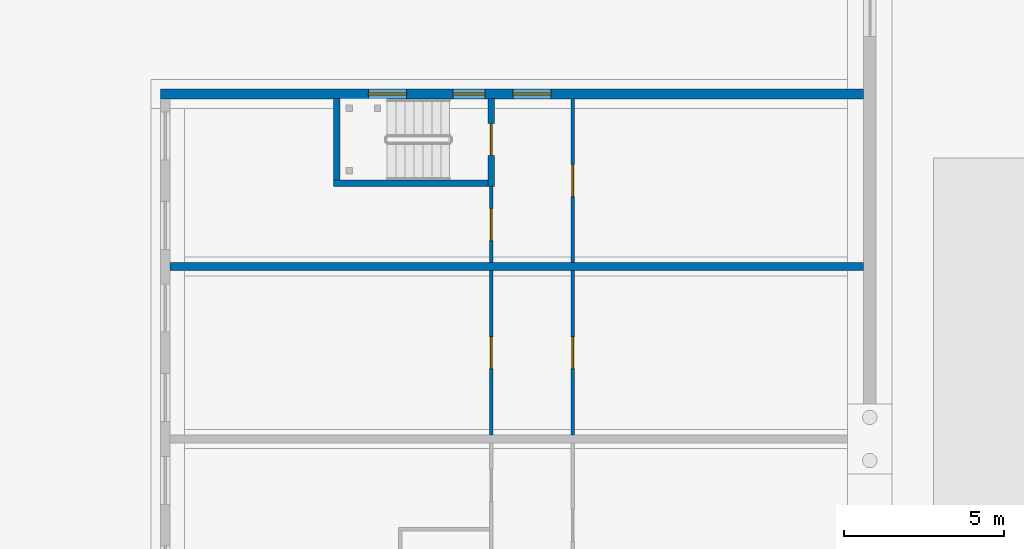
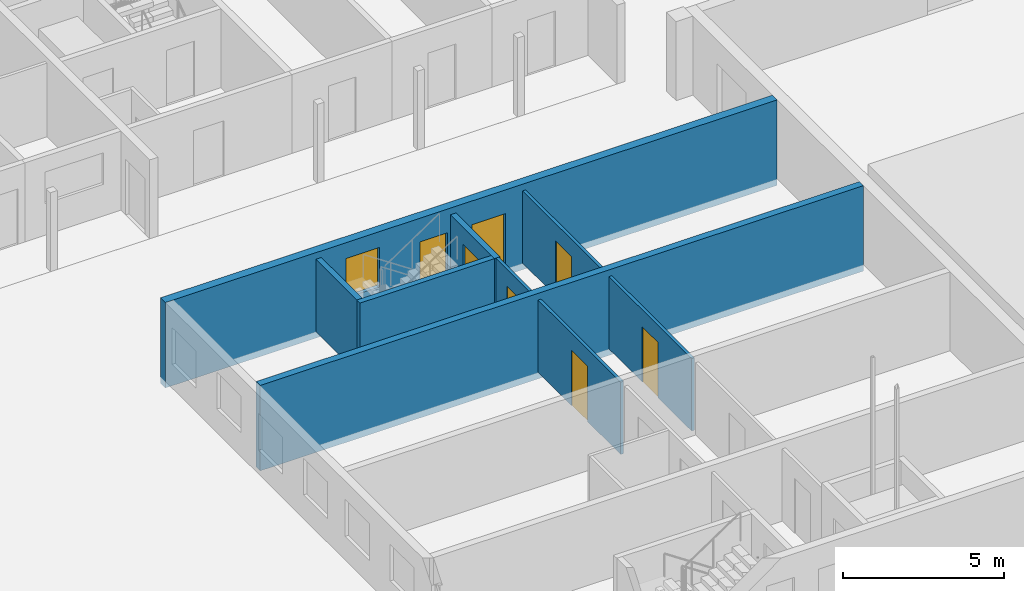
# One storey, part 46 of 112: 9 walls, 7 doors, 1 window, 8 openings.
"""IFC4 building model written with IfcOpenShell, lengths in metres."""

from ifc_helpers import new_model, si_unit, direction, frame, frame_2d, origin, place, context, subcontext, project, spatial, rectangle, extrude, material, layer, layer_set, type_object, element, fill, save


model = new_model("IFC4")

# Units and contexts
model_context = context("Model", 3, precision=1e-05, world=origin(), true_north=direction((0.0, 1.0)))
body_context = subcontext(model_context, "Body", "Model", "MODEL_VIEW")
ifc_project = project(units=[si_unit("LENGTHUNIT", "METRE"), si_unit("AREAUNIT", "SQUARE_METRE"), si_unit("VOLUMEUNIT", "CUBIC_METRE"), si_unit("PLANEANGLEUNIT", "RADIAN"), si_unit("MASSUNIT", "GRAM", prefix="KILO")], contexts=[model_context])

# Site, building, storey
site_placement = place(None, origin())
site = spatial("IfcSite", under=ifc_project, at=site_placement, CompositionType="ELEMENT")
building_placement = place(site_placement, origin())
building = spatial("IfcBuilding", under=site, at=building_placement, Name="Ridgestep Commons", CompositionType="ELEMENT")
storey_placement = place(building_placement, origin())
storey = spatial("IfcBuildingStorey", under=building, at=storey_placement, Name="L00", CompositionType="ELEMENT", Elevation=0.0)

# Wall
ifc_material_1 = material(Name="Precast concrete C40/50", Category="concrete")
ifc_layer_1 = layer(ifc_material_1, 0.25)
ifc_layer_set_1 = layer_set([ifc_layer_1], Name="Annex cross wall 250")
wall_type_1 = type_object("IfcWallType", Name="Annex cross wall 250", PredefinedType="SOLIDWALL", material=ifc_layer_set_1)
wall_1_placement = place(storey_placement, frame((114.39990234375, 53.800048828125, -0.25), z_axis=(0.0, 0.0, 1.0), x_axis=(-1.0, 0.0, 0.0)))
element("IfcWall", 1, at=wall_1_placement, inside=storey, type_object=wall_type_1, Name="Annex cross wall 250", PredefinedType="SOLIDWALL", context=body_context, shape_type="SweptSolid", body=[
    extrude(rectangle(XDim=21.699951171875, YDim=0.25, at=frame_2d((10.85009765625, 0.0))), origin(), (0.0, 0.0, 1.0), 3.25),
])

# Wall, openings, doors, window
ifc_material_2 = material(Name="Precast concrete C40/50", Category="concrete")
ifc_layer_2 = layer(ifc_material_2, 0.300048828125)
ifc_layer_set_2 = layer_set([ifc_layer_2], Name="Annex wall 300")
wall_type_2 = type_object("IfcWallType", Name="Annex wall 300", PredefinedType="SOLIDWALL", material=ifc_layer_set_2)
wall_2_placement = place(storey_placement, frame((114.39990234375, 59.199951171875, -0.25), z_axis=(0.0, 0.0, 1.0), x_axis=(-1.0, 0.0, 0.0)))
wall_2 = element("IfcWall", 2, at=wall_2_placement, inside=storey, type_object=wall_type_2, Name="Annex wall 300", PredefinedType="SOLIDWALL", context=body_context, shape_type="SweptSolid", body=[
    extrude(rectangle(XDim=22.0, YDim=0.300048828125, at=frame_2d((11.0, 0.0))), origin(), (0.0, 0.0, 1.0), 3.25),
])
opening_1_placement = place(wall_2_placement, frame((14.298095703125, 0.0, 1.14990234375)))
opening_1 = element("IfcOpeningElement", 3, at=opening_1_placement, cuts=wall_2, Name="Opening WK1", PredefinedType="OPENING", context=body_context, shape_type="SweptSolid", body=[
    extrude(rectangle(XDim=1.199951171875, YDim=1.5, at=frame_2d((0.60009765625, 0.75))), frame((0.0, 0.159912109375, 0.0), z_axis=(0.0, -1.0, 0.0), x_axis=(1.0, 0.0, 0.0)), (0.0, 0.0, 1.0), 0.320068359375),
])
opening_2_placement = place(wall_2_placement, frame((9.77490234375, 0.0, 0.25)))
opening_2 = element("IfcOpeningElement", 4, at=opening_2_placement, cuts=wall_2, Name="Opening C010", PredefinedType="OPENING", context=body_context, shape_type="SweptSolid", body=[
    extrude(rectangle(XDim=1.199951171875, YDim=2.10009765625, at=frame_2d((0.60009765625, 1.050048828125))), frame((0.0, 0.159912109375, 0.0), z_axis=(0.0, -1.0, 0.0), x_axis=(1.0, 0.0, 0.0)), (0.0, 0.0, 1.0), 0.320068359375),
])
opening_3_placement = place(wall_2_placement, frame((11.85009765625, 0.0, 0.25)))
opening_3 = element("IfcOpeningElement", 5, at=opening_3_placement, cuts=wall_2, Name="Opening C011", PredefinedType="OPENING", context=body_context, shape_type="SweptSolid", body=[
    extrude(rectangle(XDim=1.0, YDim=2.10009765625, at=frame_2d((0.5, 1.050048828125))), frame((0.0, 0.159912109375, 0.0), z_axis=(0.0, -1.0, 0.0), x_axis=(1.0, 0.0, 0.0)), (0.0, 0.0, 1.0), 0.320068359375),
])
ifc_material_3 = material(Name="Steel", Category="steel")
door_type_1 = type_object("IfcDoorType", Name="Community exit door 1000 x 2100", OperationType="SINGLE_SWING_LEFT", PredefinedType="DOOR", material=ifc_material_3)
door_1_placement = place(opening_3_placement, frame((1.0, 0.0, 0.0), z_axis=(0.0, 0.0, 1.0), x_axis=(-1.0, 0.0, 0.0)))
door_1 = element("IfcDoor", 6, at=door_1_placement, inside=storey, type_object=door_type_1, Name="Community exit door 1000 x 2100", OperationType="SINGLE_SWING_RIGHT", OverallHeight=2.10009765625, OverallWidth=1.0, PredefinedType="DOOR", context=body_context, shape_type="SweptSolid", body=[
    extrude(rectangle(XDim=1.0, YDim=2.10009765625, at=frame_2d((0.5, 1.050048828125))), frame((0.0, 0.02490234375, 0.0), z_axis=(0.0, -1.0, 0.0), x_axis=(1.0, 0.0, 0.0)), (0.0, 0.0, 1.0), 0.050048828125),
])
fill(opening_3, door_1)
ifc_material_4 = material(Name="Steel", Category="steel")
door_type_2 = type_object("IfcDoorType", Name="Community exit door 1200 x 2100", OperationType="SINGLE_SWING_LEFT", PredefinedType="DOOR", material=ifc_material_4)
door_2_placement = place(opening_2_placement, frame((1.199951171875, 0.0, 0.0), z_axis=(0.0, 0.0, 1.0), x_axis=(-1.0, 0.0, 0.0)))
door_2 = element("IfcDoor", 7, at=door_2_placement, inside=storey, type_object=door_type_2, Name="Community exit door 1200 x 2100", OperationType="SINGLE_SWING_RIGHT", OverallHeight=2.10009765625, OverallWidth=1.199951171875, PredefinedType="DOOR", context=body_context, shape_type="SweptSolid", body=[
    extrude(rectangle(XDim=1.199951171875, YDim=2.10009765625, at=frame_2d((0.60009765625, 1.050048828125))), frame((0.0, 0.02490234375, 0.0), z_axis=(0.0, -1.0, 0.0), x_axis=(1.0, 0.0, 0.0)), (0.0, 0.0, 1.0), 0.050048828125),
])
fill(opening_2, door_2)
ifc_material_5 = material(Name="Aluminium and glass", Category="aluminium")
window_type = type_object("IfcWindowType", Name="Community window 1200 x 1500", PartitioningType="SINGLE_PANEL", PredefinedType="WINDOW", material=ifc_material_5)
window_placement = place(opening_1_placement, origin())
window = element("IfcWindow", 8, at=window_placement, inside=storey, type_object=window_type, Name="Community window 1200 x 1500", OverallHeight=1.5, OverallWidth=1.199951171875, PartitioningType="SINGLE_PANEL", PredefinedType="WINDOW", context=body_context, shape_type="SweptSolid", body=[
    extrude(rectangle(XDim=1.199951171875, YDim=1.5, at=frame_2d((0.60009765625, 0.75))), frame((0.0, 0.030029296875, 0.0), z_axis=(0.0, -1.0, 0.0), x_axis=(1.0, 0.0, 0.0)), (0.0, 0.0, 1.0), 0.06005859375),
])
fill(opening_1, window)

# Wall, opening, door
ifc_material_6 = material(Name="Common brick 110 mm", Category="masonry")
ifc_layer_3 = layer(ifc_material_6, 0.110107421875)
ifc_layer_set_3 = layer_set([ifc_layer_3], Name="Community partition 110")
wall_type_3 = type_object("IfcWallType", Name="Community partition 110", PredefinedType="PARTITIONING", material=ifc_layer_set_3)
wall_3_placement = place(storey_placement, frame((105.300048828125, 48.52490234375, 0.0), z_axis=(0.0, 0.0, 1.0), x_axis=(0.0, 1.0, 0.0)))
wall_3 = element("IfcWall", 9, at=wall_3_placement, inside=storey, type_object=wall_type_3, Name="Community partition 110", PredefinedType="PARTITIONING", context=body_context, shape_type="SweptSolid", body=[
    extrude(rectangle(XDim=5.150146484375, YDim=0.110107421875, at=frame_2d((2.5751953125, 0.0))), origin(), (0.0, 0.0, 1.0), 2.75),
])
opening_4_placement = place(wall_3_placement, frame((2.074951171875, 0.0, 0.0)))
opening_4 = element("IfcOpeningElement", 10, at=opening_4_placement, cuts=wall_3, Name="Opening C054", PredefinedType="OPENING", context=body_context, shape_type="SweptSolid", body=[
    extrude(rectangle(XDim=1.0, YDim=2.10009765625, at=frame_2d((0.5, 1.050048828125))), frame((0.0, 0.06494140625, 0.0), z_axis=(0.0, -1.0, 0.0), x_axis=(1.0, 0.0, 0.0)), (0.0, 0.0, 1.0), 0.130126953125),
])
ifc_material_7 = material(Name="Timber and steel", Category="steel")
door_type_3 = type_object("IfcDoorType", Name="Community fire door 1000 x 2100", OperationType="SINGLE_SWING_LEFT", PredefinedType="DOOR", material=ifc_material_7)
door_3_placement = place(opening_4_placement, origin())
door_3 = element("IfcDoor", 11, at=door_3_placement, inside=storey, type_object=door_type_3, Name="Community fire door 1000 x 2100", OperationType="SINGLE_SWING_LEFT", OverallHeight=2.10009765625, OverallWidth=1.0, PredefinedType="DOOR", context=body_context, shape_type="SweptSolid", body=[
    extrude(rectangle(XDim=1.0, YDim=2.10009765625, at=frame_2d((0.5, 1.050048828125))), frame((0.0, 0.02490234375, 0.0), z_axis=(0.0, -1.0, 0.0), x_axis=(1.0, 0.0, 0.0)), (0.0, 0.0, 1.0), 0.050048828125),
])
fill(opening_4, door_3)

wall_4_placement = place(storey_placement, frame((105.300048828125, 53.925048828125, 0.0), z_axis=(0.0, 0.0, 1.0), x_axis=(0.0, 1.0, 0.0)))
wall_4 = element("IfcWall", 12, at=wall_4_placement, inside=storey, type_object=wall_type_3, Name="Community partition 110", PredefinedType="PARTITIONING", context=body_context, shape_type="SweptSolid", body=[
    extrude(rectangle(XDim=5.125, YDim=0.110107421875, at=frame_2d((2.5625, 0.0))), origin(), (0.0, 0.0, 1.0), 2.75),
])
opening_5_placement = place(wall_4_placement, frame((2.0625, 0.0, 0.0)))
opening_5 = element("IfcOpeningElement", 13, at=opening_5_placement, cuts=wall_4, Name="Opening C055", PredefinedType="OPENING", context=body_context, shape_type="SweptSolid", body=[
    extrude(rectangle(XDim=1.0, YDim=2.10009765625, at=frame_2d((0.5, 1.050048828125))), frame((0.0, 0.06494140625, 0.0), z_axis=(0.0, -1.0, 0.0), x_axis=(1.0, 0.0, 0.0)), (0.0, 0.0, 1.0), 0.130126953125),
])
door_4_placement = place(opening_5_placement, origin())
door_4 = element("IfcDoor", 14, at=door_4_placement, inside=storey, type_object=door_type_3, Name="Community fire door 1000 x 2100", OperationType="SINGLE_SWING_RIGHT", OverallHeight=2.10009765625, OverallWidth=1.0, PredefinedType="DOOR", context=body_context, shape_type="SweptSolid", body=[
    extrude(rectangle(XDim=1.0, YDim=2.10009765625, at=frame_2d((0.5, 1.050048828125))), frame((0.0, 0.02490234375, 0.0), z_axis=(0.0, -1.0, 0.0), x_axis=(1.0, 0.0, 0.0)), (0.0, 0.0, 1.0), 0.050048828125),
])
fill(opening_5, door_4)

wall_5_placement = place(storey_placement, frame((102.75, 48.52490234375, 0.0), z_axis=(0.0, 0.0, 1.0), x_axis=(0.0, 1.0, 0.0)))
wall_5 = element("IfcWall", 15, at=wall_5_placement, inside=storey, type_object=wall_type_3, Name="Community partition 110", PredefinedType="PARTITIONING", context=body_context, shape_type="SweptSolid", body=[
    extrude(rectangle(XDim=5.150146484375, YDim=0.110107421875, at=frame_2d((2.5751953125, 0.0))), origin(), (0.0, 0.0, 1.0), 2.75),
])
opening_6_placement = place(wall_5_placement, frame((2.074951171875, 0.0, 0.0)))
opening_6 = element("IfcOpeningElement", 16, at=opening_6_placement, cuts=wall_5, Name="Opening C059", PredefinedType="OPENING", context=body_context, shape_type="SweptSolid", body=[
    extrude(rectangle(XDim=1.0, YDim=2.10009765625, at=frame_2d((0.5, 1.050048828125))), frame((0.0, 0.06494140625, 0.0), z_axis=(0.0, -1.0, 0.0), x_axis=(1.0, 0.0, 0.0)), (0.0, 0.0, 1.0), 0.130126953125),
])
door_5_placement = place(opening_6_placement, origin())
door_5 = element("IfcDoor", 17, at=door_5_placement, inside=storey, type_object=door_type_3, Name="Community fire door 1000 x 2100", OperationType="SINGLE_SWING_LEFT", OverallHeight=2.10009765625, OverallWidth=1.0, PredefinedType="DOOR", context=body_context, shape_type="SweptSolid", body=[
    extrude(rectangle(XDim=1.0, YDim=2.10009765625, at=frame_2d((0.5, 1.050048828125))), frame((0.0, 0.02490234375, 0.0), z_axis=(0.0, -1.0, 0.0), x_axis=(1.0, 0.0, 0.0)), (0.0, 0.0, 1.0), 0.050048828125),
])
fill(opening_6, door_5)

wall_6_placement = place(storey_placement, frame((102.75, 53.925048828125, 0.0), z_axis=(0.0, 0.0, 1.0), x_axis=(0.0, 1.0, 0.0)))
wall_6 = element("IfcWall", 18, at=wall_6_placement, inside=storey, type_object=wall_type_3, Name="Community partition 110", PredefinedType="PARTITIONING", context=body_context, shape_type="SweptSolid", body=[
    extrude(rectangle(XDim=2.375, YDim=0.110107421875, at=frame_2d((1.1875, 0.0))), origin(), (0.0, 0.0, 1.0), 2.75),
])
opening_7_placement = place(wall_6_placement, frame((0.6875, 0.0, 0.0)))
opening_7 = element("IfcOpeningElement", 19, at=opening_7_placement, cuts=wall_6, Name="Opening C060", PredefinedType="OPENING", context=body_context, shape_type="SweptSolid", body=[
    extrude(rectangle(XDim=1.0, YDim=2.10009765625, at=frame_2d((0.5, 1.050048828125))), frame((0.0, 0.06494140625, 0.0), z_axis=(0.0, -1.0, 0.0), x_axis=(1.0, 0.0, 0.0)), (0.0, 0.0, 1.0), 0.130126953125),
])
door_6_placement = place(opening_7_placement, origin())
door_6 = element("IfcDoor", 20, at=door_6_placement, inside=storey, type_object=door_type_3, Name="Community fire door 1000 x 2100", OperationType="SINGLE_SWING_RIGHT", OverallHeight=2.10009765625, OverallWidth=1.0, PredefinedType="DOOR", context=body_context, shape_type="SweptSolid", body=[
    extrude(rectangle(XDim=1.0, YDim=2.10009765625, at=frame_2d((0.5, 1.050048828125))), frame((0.0, 0.02490234375, 0.0), z_axis=(0.0, -1.0, 0.0), x_axis=(1.0, 0.0, 0.0)), (0.0, 0.0, 1.0), 0.050048828125),
])
fill(opening_7, door_6)

ifc_material_8 = material(Name="Concrete C30/37", Category="concrete")
ifc_layer_4 = layer(ifc_material_8, 0.199951171875)
ifc_layer_set_4 = layer_set([ifc_layer_4], Name="Community stair wall 200")
wall_type_4 = type_object("IfcWallType", Name="Community stair wall 200", PredefinedType="SOLIDWALL", material=ifc_layer_set_4)
wall_7_placement = place(storey_placement, frame((102.75, 56.300048828125, 0.0), z_axis=(0.0, 0.0, 1.0), x_axis=(0.0, 1.0, 0.0)))
wall_7 = element("IfcWall", 21, at=wall_7_placement, inside=storey, type_object=wall_type_4, Name="Community stair wall 200", PredefinedType="SOLIDWALL", context=body_context, shape_type="SweptSolid", body=[
    extrude(rectangle(XDim=2.75, YDim=0.199951171875, at=frame_2d((1.375, 0.0))), origin(), (0.0, 0.0, 1.0), 2.75),
])
opening_8_placement = place(wall_7_placement, frame((0.97509765625, 0.0, 0.0)))
opening_8 = element("IfcOpeningElement", 22, at=opening_8_placement, cuts=wall_7, Name="Opening C062", PredefinedType="OPENING", context=body_context, shape_type="SweptSolid", body=[
    extrude(rectangle(XDim=1.0, YDim=2.10009765625, at=frame_2d((0.5, 1.050048828125))), frame((0.0, 0.10986328125, 0.0), z_axis=(0.0, -1.0, 0.0), x_axis=(1.0, 0.0, 0.0)), (0.0, 0.0, 1.0), 0.219970703125),
])
door_7_placement = place(opening_8_placement, origin())
door_7 = element("IfcDoor", 23, at=door_7_placement, inside=storey, type_object=door_type_3, Name="Community fire door 1000 x 2100", OperationType="SINGLE_SWING_RIGHT", OverallHeight=2.10009765625, OverallWidth=1.0, PredefinedType="DOOR", context=body_context, shape_type="SweptSolid", body=[
    extrude(rectangle(XDim=1.0, YDim=2.10009765625, at=frame_2d((0.5, 1.050048828125))), frame((0.0, 0.02490234375, 0.0), z_axis=(0.0, -1.0, 0.0), x_axis=(1.0, 0.0, 0.0)), (0.0, 0.0, 1.0), 0.050048828125),
])
fill(opening_8, door_7)

# Walls
wall_8_placement = place(storey_placement, frame((102.64990234375, 56.39990234375, 0.0), z_axis=(0.0, 0.0, 1.0), x_axis=(-1.0, 0.0, 0.0)))
element("IfcWall", 24, at=wall_8_placement, inside=storey, type_object=wall_type_4, Name="Community stair wall 200", PredefinedType="SOLIDWALL", context=body_context, shape_type="SweptSolid", body=[
    extrude(rectangle(XDim=4.83984375, YDim=0.199951171875, at=frame_2d((2.419921875, 0.0))), origin(), (0.0, 0.0, 1.0), 2.75),
])
wall_9_placement = place(storey_placement, frame((97.909912109375, 59.050048828125, 0.0), z_axis=(0.0, 0.0, 1.0), x_axis=(0.0, -1.0, 0.0)))
element("IfcWall", 25, at=wall_9_placement, inside=storey, type_object=wall_type_4, Name="Community stair wall 200", PredefinedType="SOLIDWALL", context=body_context, shape_type="SweptSolid", body=[
    extrude(rectangle(XDim=2.550048828125, YDim=0.199951171875, at=frame_2d((1.27490234375, 0.0))), origin(), (0.0, 0.0, 1.0), 2.75),
])

save(model, "model.ifc")
